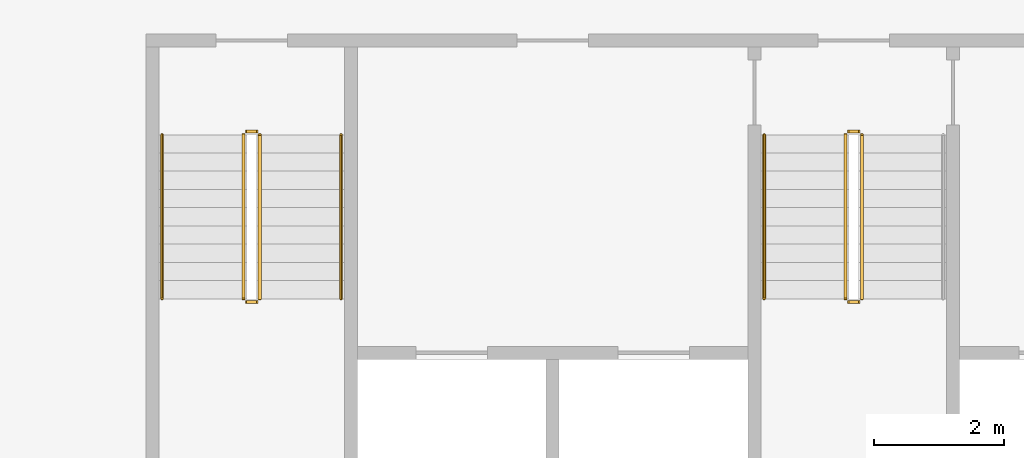
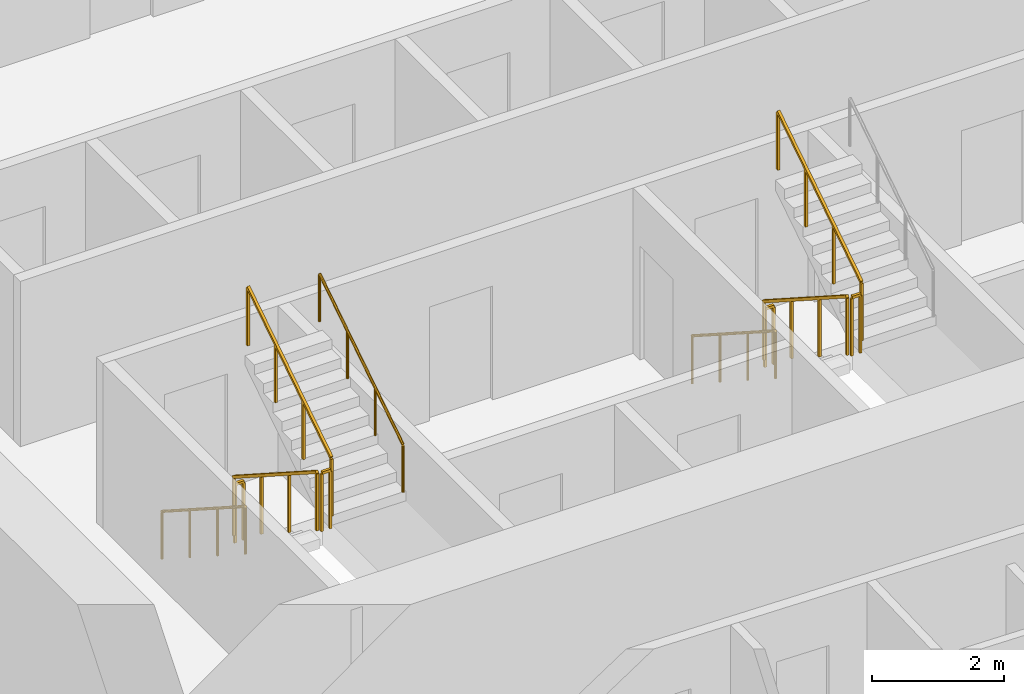
# One storey, part 14 of 16: 11 railings.
"""IFC4 building model written with IfcOpenShell, lengths in metres."""

from ifc_helpers import new_model, si_unit, direction, frame, origin, origin_2d, place, context, subcontext, project, spatial, rectangle, circle, extrude, material, type_object, element, save


model = new_model("IFC4")

# Units and contexts
model_context = context("Model", 3, precision=1e-05, world=origin(), true_north=direction((0.0, 1.0)))
body_context = subcontext(model_context, "Body", "Model", "MODEL_VIEW")
ifc_project = project(units=[si_unit("LENGTHUNIT", "METRE"), si_unit("AREAUNIT", "SQUARE_METRE"), si_unit("VOLUMEUNIT", "CUBIC_METRE"), si_unit("PLANEANGLEUNIT", "RADIAN"), si_unit("MASSUNIT", "GRAM", prefix="KILO")], contexts=[model_context])

# Site, building, storey
site_placement = place(None, origin())
site = spatial("IfcSite", under=ifc_project, at=site_placement, CompositionType="ELEMENT")
building_placement = place(site_placement, origin())
building = spatial("IfcBuilding", under=site, at=building_placement, Name="Mangrove Gate Tower", CompositionType="ELEMENT")
storey_placement = place(building_placement, frame((0.0, 0.0, 109.10009765625)))
storey = spatial("IfcBuildingStorey", under=building, at=storey_placement, Name="L27", CompositionType="ELEMENT", Elevation=109.10009765625)

# Railings
ifc_material_1 = material(Name="Stainless steel 316", Category="steel")
railing_type_1 = type_object("IfcRailingType", Name="Core stair guard 1100", PredefinedType="GUARDRAIL", material=ifc_material_1)
railing_1_placement = place(storey_placement, frame((-9.39990234375, -4.64990234375, 0.179931640625)))
element("IfcRailing", 1, at=railing_1_placement, inside=storey, type_object=railing_type_1, Name="L27 ST1 stair guard 1", PredefinedType="GUARDRAIL", context=body_context, shape_type="SweptSolid", body=[
    extrude(rectangle(XDim=0.048095703125, YDim=0.048095703125, at=origin_2d()), frame((0.0, 0.0, 1.076171875), z_axis=(0.0, -0.841199657755, 0.540724639528), x_axis=(1.0, 0.0, 0.0)), (0.0, 0.0, 1.0), 2.995849609375),
    extrude(rectangle(XDim=0.0419921875, YDim=0.0419921875, at=origin_2d()), origin(), (0.0, 0.0, 1.0), 1.052001953125),
    extrude(rectangle(XDim=0.0419921875, YDim=0.0419921875, at=origin_2d()), frame((0.0, -0.840087890625, 0.5400390625)), (0.0, 0.0, 1.0), 1.052001953125),
    extrude(rectangle(XDim=0.0419921875, YDim=0.0419921875, at=origin_2d()), frame((0.0, -1.679931640625, 1.079833984375)), (0.0, 0.0, 1.0), 1.052001953125),
    extrude(rectangle(XDim=0.0419921875, YDim=0.0419921875, at=origin_2d()), frame((0.0, -2.52001953125, 1.619873046875)), (0.0, 0.0, 1.0), 1.052001953125),
])
railing_2_placement = place(storey_placement, frame((-9.35009765625, -7.219970703125, 1.7998046875)))
element("IfcRailing", 2, at=railing_2_placement, inside=storey, type_object=railing_type_1, Name="L27 ST1 stair guard 2", PredefinedType="GUARDRAIL", context=body_context, shape_type="SweptSolid", body=[
    extrude(rectangle(XDim=0.048095703125, YDim=0.048095703125, at=origin_2d()), frame((0.0, 0.0, 1.076171875), z_axis=(1.0, 0.0, 0.0), x_axis=(0.0, 1.0, 0.0)), (0.0, 0.0, 1.0), 0.150146484375),
    extrude(rectangle(XDim=0.0419921875, YDim=0.0419921875, at=origin_2d()), origin(), (0.0, 0.0, 1.0), 1.052001953125),
    extrude(rectangle(XDim=0.0419921875, YDim=0.0419921875, at=origin_2d()), frame((0.150146484375, 0.0, 0.0)), (0.0, 0.0, 1.0), 1.052001953125),
])
railing_3_placement = place(storey_placement, frame((-9.14990234375, -7.169921875, 1.97998046875)))
element("IfcRailing", 3, at=railing_3_placement, inside=storey, type_object=railing_type_1, Name="L27 ST1 stair guard 3", PredefinedType="GUARDRAIL", context=body_context, shape_type="SweptSolid", body=[
    extrude(rectangle(XDim=0.048095703125, YDim=0.048095703125, at=origin_2d()), frame((0.0, 0.0, 1.076171875), z_axis=(0.0, 0.841199657755, 0.540724639528), x_axis=(-1.0, 0.0, 0.0)), (0.0, 0.0, 1.0), 2.995849609375),
    extrude(rectangle(XDim=0.0419921875, YDim=0.0419921875, at=origin_2d()), origin(), (0.0, 0.0, 1.0), 1.052001953125),
    extrude(rectangle(XDim=0.0419921875, YDim=0.0419921875, at=origin_2d()), frame((0.0, 0.840087890625, 0.5400390625)), (0.0, 0.0, 1.0), 1.052001953125),
    extrude(rectangle(XDim=0.0419921875, YDim=0.0419921875, at=origin_2d()), frame((0.0, 1.679931640625, 1.079833984375)), (0.0, 0.0, 1.0), 1.052001953125),
    extrude(rectangle(XDim=0.0419921875, YDim=0.0419921875, at=origin_2d()), frame((0.0, 2.52001953125, 1.619873046875)), (0.0, 0.0, 1.0), 1.052001953125),
])
railing_4_placement = place(storey_placement, frame((-9.35009765625, -4.60009765625, 0.0)))
element("IfcRailing", 4, at=railing_4_placement, inside=storey, type_object=railing_type_1, Name="L27 ST1 stair guard 4", PredefinedType="GUARDRAIL", context=body_context, shape_type="SweptSolid", body=[
    extrude(rectangle(XDim=0.048095703125, YDim=0.048095703125, at=origin_2d()), frame((0.0, 0.0, 1.076171875), z_axis=(1.0, 0.0, 0.0), x_axis=(0.0, 1.0, 0.0)), (0.0, 0.0, 1.0), 0.150146484375),
    extrude(rectangle(XDim=0.0419921875, YDim=0.0419921875, at=origin_2d()), origin(), (0.0, 0.0, 1.0), 1.052001953125),
    extrude(rectangle(XDim=0.0419921875, YDim=0.0419921875, at=origin_2d()), frame((0.150146484375, 0.0, 0.0)), (0.0, 0.0, 1.0), 1.052001953125),
])
railing_5_placement = place(storey_placement, frame((-0.14990234375, -4.64990234375, 0.179931640625)))
element("IfcRailing", 5, at=railing_5_placement, inside=storey, type_object=railing_type_1, Name="L27 ST2 stair guard 1", PredefinedType="GUARDRAIL", context=body_context, shape_type="SweptSolid", body=[
    extrude(rectangle(XDim=0.048095703125, YDim=0.048095703125, at=origin_2d()), frame((0.0, 0.0, 1.076171875), z_axis=(0.0, -0.841199657755, 0.540724639528), x_axis=(1.0, 0.0, 0.0)), (0.0, 0.0, 1.0), 2.995849609375),
    extrude(rectangle(XDim=0.0419921875, YDim=0.0419921875, at=origin_2d()), origin(), (0.0, 0.0, 1.0), 1.052001953125),
    extrude(rectangle(XDim=0.0419921875, YDim=0.0419921875, at=origin_2d()), frame((0.0, -0.840087890625, 0.5400390625)), (0.0, 0.0, 1.0), 1.052001953125),
    extrude(rectangle(XDim=0.0419921875, YDim=0.0419921875, at=origin_2d()), frame((0.0, -1.679931640625, 1.079833984375)), (0.0, 0.0, 1.0), 1.052001953125),
    extrude(rectangle(XDim=0.0419921875, YDim=0.0419921875, at=origin_2d()), frame((0.0, -2.52001953125, 1.619873046875)), (0.0, 0.0, 1.0), 1.052001953125),
])
railing_6_placement = place(storey_placement, frame((-0.10009765625, -7.219970703125, 1.7998046875)))
element("IfcRailing", 6, at=railing_6_placement, inside=storey, type_object=railing_type_1, Name="L27 ST2 stair guard 2", PredefinedType="GUARDRAIL", context=body_context, shape_type="SweptSolid", body=[
    extrude(rectangle(XDim=0.048095703125, YDim=0.048095703125, at=origin_2d()), frame((0.0, 0.0, 1.076171875), z_axis=(1.0, 0.0, 0.0), x_axis=(0.0, 1.0, 0.0)), (0.0, 0.0, 1.0), 0.150146484375),
    extrude(rectangle(XDim=0.0419921875, YDim=0.0419921875, at=origin_2d()), origin(), (0.0, 0.0, 1.0), 1.052001953125),
    extrude(rectangle(XDim=0.0419921875, YDim=0.0419921875, at=origin_2d()), frame((0.150146484375, 0.0, 0.0)), (0.0, 0.0, 1.0), 1.052001953125),
])
railing_7_placement = place(storey_placement, frame((0.10009765625, -7.169921875, 1.97998046875)))
element("IfcRailing", 7, at=railing_7_placement, inside=storey, type_object=railing_type_1, Name="L27 ST2 stair guard 3", PredefinedType="GUARDRAIL", context=body_context, shape_type="SweptSolid", body=[
    extrude(rectangle(XDim=0.048095703125, YDim=0.048095703125, at=origin_2d()), frame((0.0, 0.0, 1.076171875), z_axis=(0.0, 0.841199657755, 0.540724639528), x_axis=(-1.0, 0.0, 0.0)), (0.0, 0.0, 1.0), 2.995849609375),
    extrude(rectangle(XDim=0.0419921875, YDim=0.0419921875, at=origin_2d()), origin(), (0.0, 0.0, 1.0), 1.052001953125),
    extrude(rectangle(XDim=0.0419921875, YDim=0.0419921875, at=origin_2d()), frame((0.0, 0.840087890625, 0.5400390625)), (0.0, 0.0, 1.0), 1.052001953125),
    extrude(rectangle(XDim=0.0419921875, YDim=0.0419921875, at=origin_2d()), frame((0.0, 1.679931640625, 1.079833984375)), (0.0, 0.0, 1.0), 1.052001953125),
    extrude(rectangle(XDim=0.0419921875, YDim=0.0419921875, at=origin_2d()), frame((0.0, 2.52001953125, 1.619873046875)), (0.0, 0.0, 1.0), 1.052001953125),
])
railing_8_placement = place(storey_placement, frame((-0.10009765625, -4.60009765625, 0.0)))
element("IfcRailing", 8, at=railing_8_placement, inside=storey, type_object=railing_type_1, Name="L27 ST2 stair guard 4", PredefinedType="GUARDRAIL", context=body_context, shape_type="SweptSolid", body=[
    extrude(rectangle(XDim=0.048095703125, YDim=0.048095703125, at=origin_2d()), frame((0.0, 0.0, 1.076171875), z_axis=(1.0, 0.0, 0.0), x_axis=(0.0, 1.0, 0.0)), (0.0, 0.0, 1.0), 0.150146484375),
    extrude(rectangle(XDim=0.0419921875, YDim=0.0419921875, at=origin_2d()), origin(), (0.0, 0.0, 1.0), 1.052001953125),
    extrude(rectangle(XDim=0.0419921875, YDim=0.0419921875, at=origin_2d()), frame((0.150146484375, 0.0, 0.0)), (0.0, 0.0, 1.0), 1.052001953125),
])
ifc_material_2 = material(Name="Stainless steel 316", Category="steel")
railing_type_2 = type_object("IfcRailingType", Name="Core stair handrail 900", PredefinedType="HANDRAIL", material=ifc_material_2)
railing_9_placement = place(storey_placement, frame((-10.64990234375, -4.64990234375, 0.179931640625)))
element("IfcRailing", 9, at=railing_9_placement, inside=storey, type_object=railing_type_2, Name="L27 ST1 stair handrail 1", PredefinedType="HANDRAIL", context=body_context, shape_type="SweptSolid", body=[
    extrude(circle(Radius=0.02392578125, at=origin_2d()), frame((0.0, 0.0, 0.8759765625), z_axis=(0.0, -0.841199657755, 0.540724639528), x_axis=(1.0, 0.0, 0.0)), (0.0, 0.0, 1.0), 2.995849609375),
    extrude(circle(Radius=0.02099609375, at=origin_2d()), origin(), (0.0, 0.0, 1.0), 0.851806640625),
    extrude(circle(Radius=0.02099609375, at=origin_2d()), frame((0.0, -0.840087890625, 0.5400390625)), (0.0, 0.0, 1.0), 0.851806640625),
    extrude(circle(Radius=0.02099609375, at=origin_2d()), frame((0.0, -1.679931640625, 1.079833984375)), (0.0, 0.0, 1.0), 0.851806640625),
    extrude(circle(Radius=0.02099609375, at=origin_2d()), frame((0.0, -2.52001953125, 1.619873046875)), (0.0, 0.0, 1.0), 0.851806640625),
])
railing_10_placement = place(storey_placement, frame((-7.89990234375, -7.169921875, 1.97998046875)))
element("IfcRailing", 10, at=railing_10_placement, inside=storey, type_object=railing_type_2, Name="L27 ST1 stair handrail 2", PredefinedType="HANDRAIL", context=body_context, shape_type="SweptSolid", body=[
    extrude(circle(Radius=0.02392578125, at=origin_2d()), frame((0.0, 0.0, 0.8759765625), z_axis=(0.0, 0.841199657755, 0.540724639528), x_axis=(-1.0, 0.0, 0.0)), (0.0, 0.0, 1.0), 2.995849609375),
    extrude(circle(Radius=0.02099609375, at=origin_2d()), origin(), (0.0, 0.0, 1.0), 0.851806640625),
    extrude(circle(Radius=0.02099609375, at=origin_2d()), frame((0.0, 0.840087890625, 0.5400390625)), (0.0, 0.0, 1.0), 0.851806640625),
    extrude(circle(Radius=0.02099609375, at=origin_2d()), frame((0.0, 1.679931640625, 1.079833984375)), (0.0, 0.0, 1.0), 0.851806640625),
    extrude(circle(Radius=0.02099609375, at=origin_2d()), frame((0.0, 2.52001953125, 1.619873046875)), (0.0, 0.0, 1.0), 0.851806640625),
])
railing_11_placement = place(storey_placement, frame((-1.39990234375, -4.64990234375, 0.179931640625)))
element("IfcRailing", 11, at=railing_11_placement, inside=storey, type_object=railing_type_2, Name="L27 ST2 stair handrail 1", PredefinedType="HANDRAIL", context=body_context, shape_type="SweptSolid", body=[
    extrude(circle(Radius=0.02392578125, at=origin_2d()), frame((0.0, 0.0, 0.8759765625), z_axis=(0.0, -0.841199657755, 0.540724639528), x_axis=(1.0, 0.0, 0.0)), (0.0, 0.0, 1.0), 2.995849609375),
    extrude(circle(Radius=0.02099609375, at=origin_2d()), origin(), (0.0, 0.0, 1.0), 0.851806640625),
    extrude(circle(Radius=0.02099609375, at=origin_2d()), frame((0.0, -0.840087890625, 0.5400390625)), (0.0, 0.0, 1.0), 0.851806640625),
    extrude(circle(Radius=0.02099609375, at=origin_2d()), frame((0.0, -1.679931640625, 1.079833984375)), (0.0, 0.0, 1.0), 0.851806640625),
    extrude(circle(Radius=0.02099609375, at=origin_2d()), frame((0.0, -2.52001953125, 1.619873046875)), (0.0, 0.0, 1.0), 0.851806640625),
])

save(model, "model.ifc")
